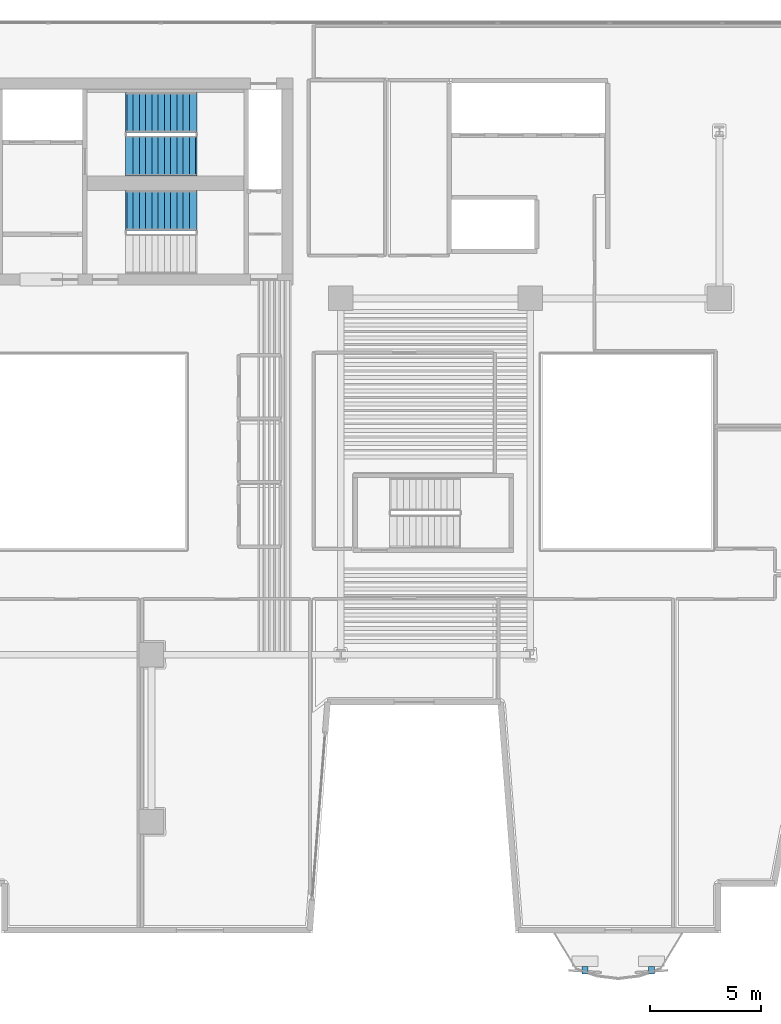
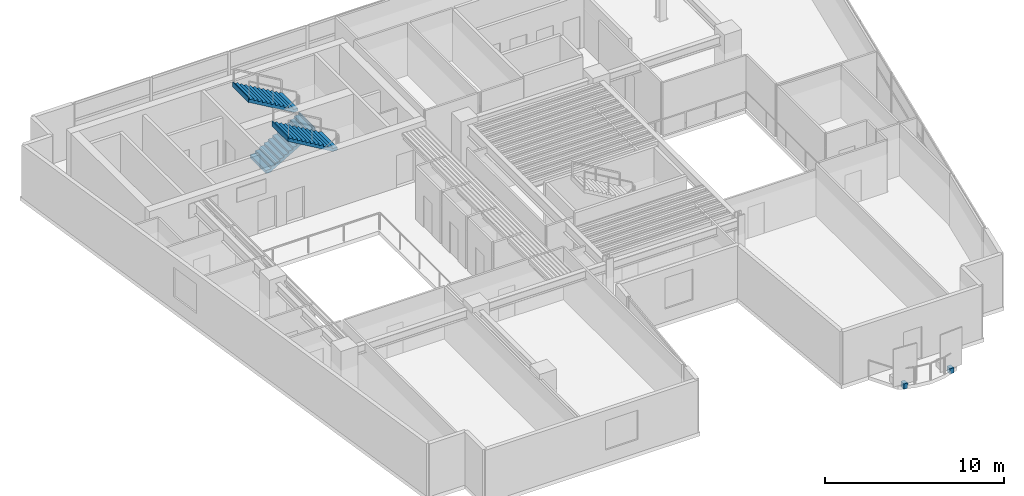
# One storey, part 10 of 14: 3 stair flights, 2 discrete accessories, 2 elements without a shape of their own.
"""IFC4 building model written with IfcOpenShell, lengths in metres."""

from ifc_helpers import new_model, si_unit, direction, frame, origin, origin_2d, place, context, subcontext, project, spatial, polyline, rectangle, outline, extrude, material, type_object, element, aggregate, save


model = new_model("IFC4")

# Units and contexts
model_context = context("Model", 3, precision=1e-05, world=origin(), true_north=direction((0.0, 1.0)))
body_context = subcontext(model_context, "Body", "Model", "MODEL_VIEW")
ifc_project = project(units=[si_unit("LENGTHUNIT", "METRE"), si_unit("AREAUNIT", "SQUARE_METRE"), si_unit("VOLUMEUNIT", "CUBIC_METRE"), si_unit("PLANEANGLEUNIT", "RADIAN"), si_unit("MASSUNIT", "GRAM", prefix="KILO")], contexts=[model_context])

# Site, building, storey
site_placement = place(None, origin())
site = spatial("IfcSite", under=ifc_project, at=site_placement, CompositionType="ELEMENT")
building_placement = place(site_placement, origin())
building = spatial("IfcBuilding", under=site, at=building_placement, Name="Caeloran Harvest Quay", CompositionType="ELEMENT")
storey_placement = place(building_placement, frame((0.0, 0.0, 174.60009765625)))
storey = spatial("IfcBuildingStorey", under=building, at=storey_placement, Name="L41", CompositionType="ELEMENT", Elevation=174.60009765625)

# Stair, stair flights
ifc_material_1 = material(Name="Concrete C50/60", Category="concrete")
stair_type = type_object("IfcStairType", Name="STAIR-STC-180", PredefinedType="HALF_TURN_STAIR", material=ifc_material_1)
stair_1_placement = place(storey_placement, origin())
stair_1 = element("IfcStair", 1, at=stair_1_placement, inside=storey, type_object=stair_type, Name="L41 Core Pressurized Exit Stair ST-C1", PredefinedType="HALF_TURN_STAIR")
stair_flight_type = type_object("IfcStairFlightType", Name="FLIGHT-STC-180", PredefinedType="STRAIGHT", material=ifc_material_1)
stair_flight_1_placement = place(storey_placement, frame((15.89990234375, 37.39990234375, 0.0), z_axis=(0.0, 0.0, 1.0), x_axis=(1.0, 0.0, 0.0)))
stair_flight_1 = element("IfcStairFlight", 2, at=stair_flight_1_placement, type_object=stair_flight_type, Name="ST-C1 flight 1", NumberOfRisers=12, NumberOfTreads=11, PredefinedType="STRAIGHT", RiserHeight=0.164583333, TreadLength=0.28, context=body_context, shape_type="SweptSolid", body=[
    extrude(outline(polyline([(-0.054931640625, -0.044921875), (-0.054931640625, -0.031982421875), (-0.054931640625, -0.018798828125), (-0.054931640625, -0.005615234375), (-0.054931640625, 0.00732421875), (-0.054931640625, 0.0205078125), (-0.054931640625, 0.03369140625), (-0.054931640625, 0.046630859375), (-0.054931640625, 0.059814453125), (-0.054931640625, 0.072998046875), (-0.054931640625, 0.0859375), (-0.054931640625, 0.09912109375), (-0.054931640625, 0.1123046875), (-0.054931640625, 0.125244140625), (-0.054931640625, 0.138427734375), (-0.054931640625, 0.1513671875), (-0.054931640625, 0.16455078125), (0.280029296875, 0.16455078125), (0.280029296875, 0.3291015625), (0.56005859375, 0.3291015625), (0.56005859375, 0.49365234375), (0.840087890625, 0.49365234375), (0.840087890625, 0.658447265625), (1.1201171875, 0.658447265625), (1.1201171875, 0.822998046875), (1.39990234375, 0.822998046875), (1.39990234375, 0.987548828125), (1.679931640625, 0.987548828125), (1.679931640625, 1.152099609375), (1.9599609375, 1.152099609375), (1.9599609375, 1.316650390625), (2.239990234375, 1.316650390625), (2.239990234375, 1.481201171875), (2.52001953125, 1.481201171875), (2.52001953125, 1.645751953125), (2.800048828125, 1.645751953125), (2.800048828125, 1.810302734375), (3.080078125, 1.810302734375), (3.080078125, 1.97509765625), (3.135009765625, 1.97509765625), (3.135009765625, 1.953857421875), (3.135009765625, 1.9326171875), (3.135009765625, 1.91162109375), (3.135009765625, 1.890380859375), (3.135009765625, 1.869140625), (3.135009765625, 1.84814453125), (3.135009765625, 1.826904296875), (3.135009765625, 1.8056640625), (3.135009765625, 1.78466796875), (3.135009765625, 1.763427734375), (3.135009765625, 1.7421875), (3.135009765625, 1.72119140625), (3.135009765625, 1.699951171875), (3.135009765625, 1.678955078125), (3.135009765625, 1.65771484375), (3.135009765625, 1.636474609375), (3.080078125, 1.636474609375), (0.21923828125, -0.044921875), (-0.054931640625, -0.044921875)])), frame((0.0, 0.89990234375, 0.0), z_axis=(0.0, -1.0, 0.0), x_axis=(1.0, 0.0, 0.0)), (0.0, 0.0, 1.0), 1.800048828125),
])
stair_flight_2_placement = place(storey_placement, frame((18.97998046875, 39.35009765625, 1.974853515625), z_axis=(0.0, 0.0, 1.0), x_axis=(-1.0, 0.0, 0.0)))
stair_flight_2 = element("IfcStairFlight", 3, at=stair_flight_2_placement, type_object=stair_flight_type, Name="ST-C1 flight 2", NumberOfRisers=12, NumberOfTreads=11, PredefinedType="STRAIGHT", RiserHeight=0.164583333, TreadLength=0.28, context=body_context, shape_type="SweptSolid", body=[
    extrude(outline(polyline([(-0.054931640625, -0.044921875), (-0.054931640625, -0.031982421875), (-0.054931640625, -0.018798828125), (-0.054931640625, -0.005615234375), (-0.054931640625, 0.00732421875), (-0.054931640625, 0.0205078125), (-0.054931640625, 0.03369140625), (-0.054931640625, 0.046630859375), (-0.054931640625, 0.059814453125), (-0.054931640625, 0.072998046875), (-0.054931640625, 0.0859375), (-0.054931640625, 0.09912109375), (-0.054931640625, 0.1123046875), (-0.054931640625, 0.125244140625), (-0.054931640625, 0.138427734375), (-0.054931640625, 0.1513671875), (-0.054931640625, 0.16455078125), (0.280029296875, 0.16455078125), (0.280029296875, 0.3291015625), (0.56005859375, 0.3291015625), (0.56005859375, 0.49365234375), (0.840087890625, 0.49365234375), (0.840087890625, 0.658447265625), (1.1201171875, 0.658447265625), (1.1201171875, 0.822998046875), (1.39990234375, 0.822998046875), (1.39990234375, 0.987548828125), (1.679931640625, 0.987548828125), (1.679931640625, 1.152099609375), (1.9599609375, 1.152099609375), (1.9599609375, 1.316650390625), (2.239990234375, 1.316650390625), (2.239990234375, 1.481201171875), (2.52001953125, 1.481201171875), (2.52001953125, 1.645751953125), (2.800048828125, 1.645751953125), (2.800048828125, 1.810302734375), (3.080078125, 1.810302734375), (3.080078125, 1.97509765625), (3.135009765625, 1.97509765625), (3.135009765625, 1.953857421875), (3.135009765625, 1.9326171875), (3.135009765625, 1.91162109375), (3.135009765625, 1.890380859375), (3.135009765625, 1.869140625), (3.135009765625, 1.84814453125), (3.135009765625, 1.826904296875), (3.135009765625, 1.8056640625), (3.135009765625, 1.78466796875), (3.135009765625, 1.763427734375), (3.135009765625, 1.7421875), (3.135009765625, 1.72119140625), (3.135009765625, 1.699951171875), (3.135009765625, 1.678955078125), (3.135009765625, 1.65771484375), (3.135009765625, 1.636474609375), (3.080078125, 1.636474609375), (0.21923828125, -0.044921875), (-0.054931640625, -0.044921875)])), frame((0.0, 0.89990234375, 0.0), z_axis=(0.0, -1.0, 0.0), x_axis=(1.0, 0.0, 0.0)), (0.0, 0.0, 1.0), 1.800048828125),
])
aggregate(stair_1, [stair_flight_1, stair_flight_2])

# Stair, stair flight
stair_2_placement = place(storey_placement, origin())
stair_2 = element("IfcStair", 4, at=stair_2_placement, inside=storey, type_object=stair_type, Name="L41 Core Pressurized Exit Stair ST-C2", PredefinedType="HALF_TURN_STAIR")
stair_flight_3_placement = place(storey_placement, frame((18.97998046875, 34.949951171875, 1.974853515625), z_axis=(0.0, 0.0, 1.0), x_axis=(-1.0, 0.0, 0.0)))
stair_flight_3 = element("IfcStairFlight", 5, at=stair_flight_3_placement, type_object=stair_flight_type, Name="ST-C2 flight 2", NumberOfRisers=12, NumberOfTreads=11, PredefinedType="STRAIGHT", RiserHeight=0.164583333, TreadLength=0.28, context=body_context, shape_type="SweptSolid", body=[
    extrude(outline(polyline([(-0.054931640625, -0.044921875), (-0.054931640625, -0.031982421875), (-0.054931640625, -0.018798828125), (-0.054931640625, -0.005615234375), (-0.054931640625, 0.00732421875), (-0.054931640625, 0.0205078125), (-0.054931640625, 0.03369140625), (-0.054931640625, 0.046630859375), (-0.054931640625, 0.059814453125), (-0.054931640625, 0.072998046875), (-0.054931640625, 0.0859375), (-0.054931640625, 0.09912109375), (-0.054931640625, 0.1123046875), (-0.054931640625, 0.125244140625), (-0.054931640625, 0.138427734375), (-0.054931640625, 0.1513671875), (-0.054931640625, 0.16455078125), (0.280029296875, 0.16455078125), (0.280029296875, 0.3291015625), (0.56005859375, 0.3291015625), (0.56005859375, 0.49365234375), (0.840087890625, 0.49365234375), (0.840087890625, 0.658447265625), (1.1201171875, 0.658447265625), (1.1201171875, 0.822998046875), (1.39990234375, 0.822998046875), (1.39990234375, 0.987548828125), (1.679931640625, 0.987548828125), (1.679931640625, 1.152099609375), (1.9599609375, 1.152099609375), (1.9599609375, 1.316650390625), (2.239990234375, 1.316650390625), (2.239990234375, 1.481201171875), (2.52001953125, 1.481201171875), (2.52001953125, 1.645751953125), (2.800048828125, 1.645751953125), (2.800048828125, 1.810302734375), (3.080078125, 1.810302734375), (3.080078125, 1.97509765625), (3.135009765625, 1.97509765625), (3.135009765625, 1.953857421875), (3.135009765625, 1.9326171875), (3.135009765625, 1.91162109375), (3.135009765625, 1.890380859375), (3.135009765625, 1.869140625), (3.135009765625, 1.84814453125), (3.135009765625, 1.826904296875), (3.135009765625, 1.8056640625), (3.135009765625, 1.78466796875), (3.135009765625, 1.763427734375), (3.135009765625, 1.7421875), (3.135009765625, 1.72119140625), (3.135009765625, 1.699951171875), (3.135009765625, 1.678955078125), (3.135009765625, 1.65771484375), (3.135009765625, 1.636474609375), (3.080078125, 1.636474609375), (0.21923828125, -0.044921875), (-0.054931640625, -0.044921875)])), frame((0.0, 0.89990234375, 0.0), z_axis=(0.0, -1.0, 0.0), x_axis=(1.0, 0.0, 0.0)), (0.0, 0.0, 1.0), 1.800048828125),
])
aggregate(stair_2, [stair_flight_3])

# Discrete accessories
ifc_material_2 = material(Name="Stainless Steel Grade 316L", Category="steel")
discrete_accessory_type = type_object("IfcDiscreteAccessoryType", Name="BRACKET-SCREEN-SS", PredefinedType="BRACKET", material=ifc_material_2)
for number, where, z_axis, x_axis, name in (
    (6, (39.44921875, 0.84521484375, -0.22021484375), (0.0, 0.0, 1.0), (1.0, 0.0, 0.0), "L41 Balcony Screen Support Bracket 1"),
    (7, (36.4658203125, 0.84521484375, -0.22021484375), (0.0, 0.0, 1.0), (1.0, 0.0, 0.0), "L41 Balcony Screen Support Bracket 2"),
):
    element("IfcDiscreteAccessory", number, at=place(storey_placement, frame(where, z_axis=z_axis, x_axis=x_axis)), inside=storey, type_object=discrete_accessory_type, Name=name, PredefinedType="BRACKET", context=body_context, shape_type="SweptSolid", body=[
        extrude(rectangle(XDim=0.260009765625, YDim=0.340087890625, at=origin_2d()), origin(), (0.0, 0.0, 1.0), 0.360107421875),
    ])

save(model, "model.ifc")
